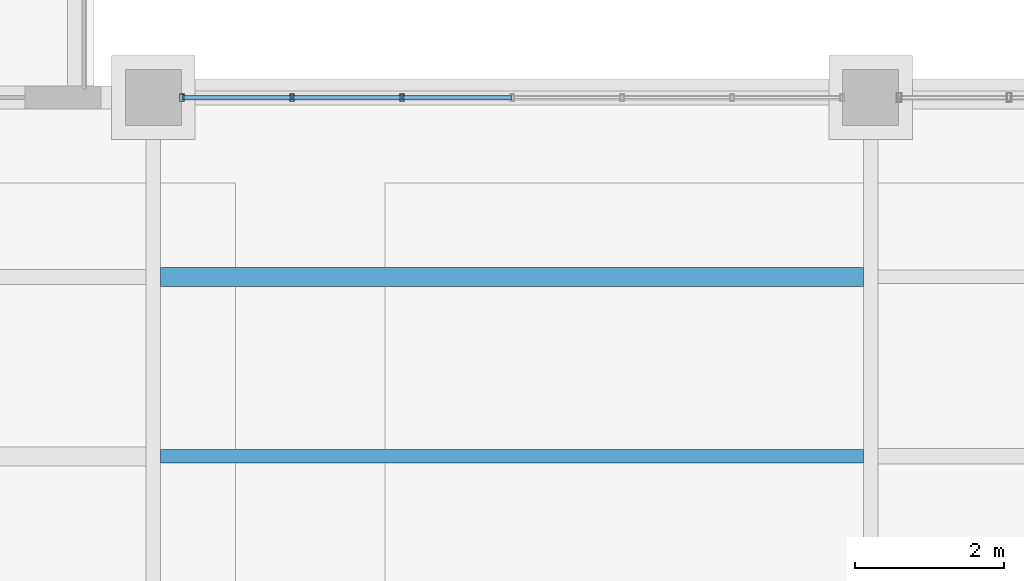
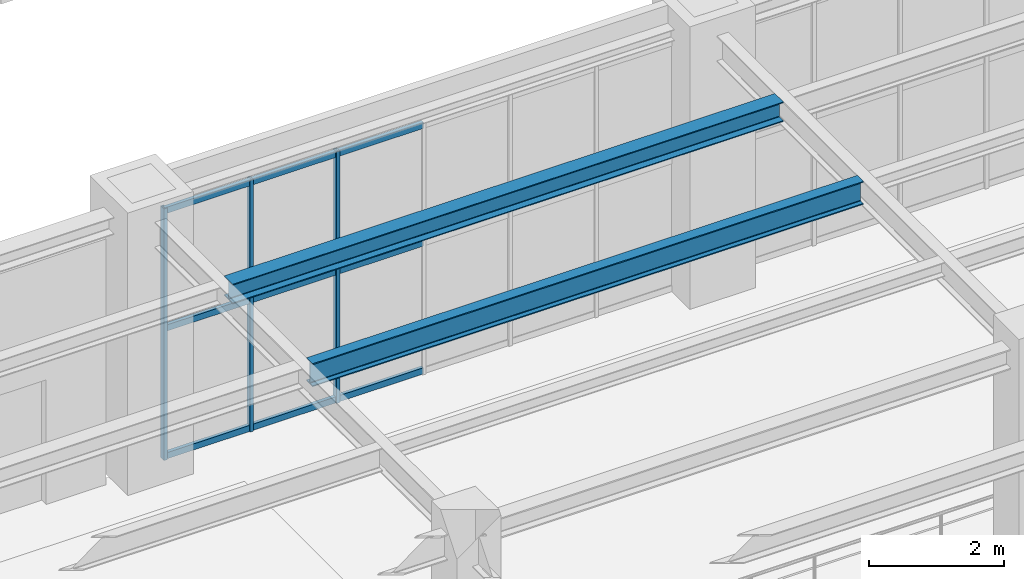
# One storey, part 20 of 174: 12 members, 2 beams, 1 element without a shape of its own.
"""IFC4 building model written with IfcOpenShell, lengths in metres."""

from ifc_helpers import new_model, si_unit, direction, frame, origin, origin_2d, place, context, subcontext, project, spatial, hollow_rectangle, i_section, extrude, material, material_profile, profile_set, type_object, element, aggregate, save


model = new_model("IFC4")

# Units and contexts
model_context = context("Model", 3, precision=1e-05, world=origin(), true_north=direction((0.0, 1.0)))
body_context = subcontext(model_context, "Body", "Model", "MODEL_VIEW")
ifc_project = project(units=[si_unit("LENGTHUNIT", "METRE"), si_unit("AREAUNIT", "SQUARE_METRE"), si_unit("VOLUMEUNIT", "CUBIC_METRE"), si_unit("PLANEANGLEUNIT", "RADIAN"), si_unit("MASSUNIT", "GRAM", prefix="KILO")], contexts=[model_context])

# Site, building, storey
site_placement = place(None, origin())
site = spatial("IfcSite", under=ifc_project, at=site_placement, CompositionType="ELEMENT")
building_placement = place(site_placement, origin())
building = spatial("IfcBuilding", under=site, at=building_placement, Name="Mavantir Sound Aquarium", CompositionType="ELEMENT")
storey_placement = place(building_placement, frame((0.0, 0.0, 5.39990234375)))
storey = spatial("IfcBuildingStorey", under=building, at=storey_placement, Name="L01", CompositionType="ELEMENT", Elevation=5.39990234375)

# Beams
ifc_material_1 = material(Name="Structural Steel ASTM A992 Gr50", Category="steel")
ifc_material_profile_1 = material_profile(ifc_material_1, i_section(OverallWidth=0.25390625, OverallDepth=0.35302734375, WebThickness=0.009521484375, FlangeThickness=0.016357421875, FilletRadius=0.014892578125, at=origin_2d()), Name="W360X91")
ifc_profile_set_1 = profile_set([ifc_material_profile_1], Name="Structural Steel ASTM A992 Gr50")
beam_type_1 = type_object("IfcBeamType", Name="BM-W360X91-I", PredefinedType="JOIST", material=ifc_profile_set_1)
beam_1_placement = place(storey_placement, frame((19.297119140625, 26.39990234375, 4.599609375), z_axis=(1.0, 0.0, 0.0), x_axis=(0.0, 1.0, 0.0)))
element("IfcBeam", 1, at=beam_1_placement, inside=storey, type_object=beam_type_1, Name="L01 secondary floor joist SJ-36 718", PredefinedType="JOIST", context=body_context, shape_type="SweptSolid", body=[
    extrude(i_section(OverallWidth=0.25390625, OverallDepth=0.35302734375, WebThickness=0.009521484375, FlangeThickness=0.016357421875, FilletRadius=0.014892578125, at=origin_2d()), origin(), (0.0, 0.0, 1.0), 9.40576171875),
])
ifc_material_profile_2 = material_profile(ifc_material_1, i_section(OverallWidth=0.180908203125, OverallDepth=0.4169921875, WebThickness=0.010986328125, FlangeThickness=0.018310546875, FilletRadius=0.014892578125, at=origin_2d()), Name="W410X85")
ifc_profile_set_2 = profile_set([ifc_material_profile_2], Name="Structural Steel ASTM A992 Gr50")
beam_type_2 = type_object("IfcBeamType", Name="BM-W410X85-I", PredefinedType="JOIST", material=ifc_profile_set_2)
beam_2_placement = place(storey_placement, frame((19.297119140625, 24.0, 4.567626953125), z_axis=(1.0, 0.0, 0.0), x_axis=(0.0, 1.0, 0.0)))
element("IfcBeam", 2, at=beam_2_placement, inside=storey, type_object=beam_type_2, Name="L01 secondary floor joist SJ-41 717", PredefinedType="JOIST", context=body_context, shape_type="SweptSolid", body=[
    extrude(i_section(OverallWidth=0.180908203125, OverallDepth=0.4169921875, WebThickness=0.010986328125, FlangeThickness=0.018310546875, FilletRadius=0.014892578125, at=origin_2d()), origin(), (0.0, 0.0, 1.0), 9.40576171875),
])

# Curtain wall, members
ifc_material_2 = material(Name="Anodised Marine Aluminium and Low-E Glass", Category="aluminium")
curtain_wall_type = type_object("IfcCurtainWallType", Name="CW-T23", PredefinedType="USERDEFINED", material=ifc_material_2)
curtain_wall_placement = place(storey_placement, origin())
curtain_wall = element("IfcCurtainWall", 3, at=curtain_wall_placement, inside=storey, type_object=curtain_wall_type, Name="L01 unitised curtain wall CW-23 71", ObjectType="UNITISED GLAZING", PredefinedType="USERDEFINED")
ifc_material_3 = material(Name="Anodised Marine Aluminium 6063-T6", Category="aluminium")
ifc_material_profile_3 = material_profile(ifc_material_3, hollow_rectangle(XDim=0.06005859375, YDim=0.10009765625, WallThickness=0.00390625, at=origin_2d()), Name="ALU-MULLION-100X60")
ifc_profile_set_3 = profile_set([ifc_material_profile_3], Name="Anodised Marine Aluminium 6063-T6")
member_type_1 = type_object("IfcMemberType", Name="CW-MUL-100", PredefinedType="MULLION", material=ifc_profile_set_3)
member_1_placement = place(storey_placement, frame((22.527587890625, 28.800048828125, 0.0), z_axis=(0.0, 0.0, 1.0), x_axis=(1.0, 0.0, 0.0)))
member_1 = element("IfcMember", 4, at=member_1_placement, type_object=member_type_1, Name="CW-L01-071 vertical mullion 5", PredefinedType="MULLION", context=body_context, shape_type="SweptSolid", body=[
    extrude(hollow_rectangle(XDim=0.06005859375, YDim=0.10009765625, WallThickness=0.00390625, at=origin_2d()), origin(), (0.0, 0.0, 1.0), 4.543212890625),
])
member_2_placement = place(storey_placement, frame((21.055419921875, 28.800048828125, 0.0), z_axis=(0.0, 0.0, 1.0), x_axis=(1.0, 0.0, 0.0)))
member_2 = element("IfcMember", 5, at=member_2_placement, type_object=member_type_1, Name="CW-L01-071 vertical mullion 6", PredefinedType="MULLION", context=body_context, shape_type="SweptSolid", body=[
    extrude(hollow_rectangle(XDim=0.06005859375, YDim=0.10009765625, WallThickness=0.00390625, at=origin_2d()), origin(), (0.0, 0.0, 1.0), 4.543212890625),
])
member_3_placement = place(storey_placement, frame((19.5830078125, 28.800048828125, 0.0), z_axis=(0.0, 0.0, 1.0), x_axis=(1.0, 0.0, 0.0)))
member_3 = element("IfcMember", 6, at=member_3_placement, type_object=member_type_1, Name="CW-L01-071 vertical mullion 7", PredefinedType="MULLION", context=body_context, shape_type="SweptSolid", body=[
    extrude(hollow_rectangle(XDim=0.06005859375, YDim=0.10009765625, WallThickness=0.00390625, at=origin_2d()), origin(), (0.0, 0.0, 1.0), 4.543212890625),
])
ifc_material_profile_4 = material_profile(ifc_material_3, hollow_rectangle(XDim=0.06005859375, YDim=0.110107421875, WallThickness=0.00390625, at=origin_2d()), Name="ALU-TRANSOM-110X60")
ifc_profile_set_4 = profile_set([ifc_material_profile_4], Name="Anodised Marine Aluminium 6063-T6")
member_type_2 = type_object("IfcMemberType", Name="CW-TRN-110", PredefinedType="USERDEFINED", material=ifc_profile_set_4)
member_4_placement = place(storey_placement, frame((24.0, 28.800048828125, 0.05517578125), z_axis=(-1.0, 0.0, 0.0), x_axis=(0.0, -1.0, 0.0)))
member_4 = element("IfcMember", 7, at=member_4_placement, type_object=member_type_2, Name="CW-L01-071 transom 4.1", ObjectType="TRANSOM", PredefinedType="USERDEFINED", context=body_context, shape_type="SweptSolid", body=[
    extrude(hollow_rectangle(XDim=0.06005859375, YDim=0.110107421875, WallThickness=0.00390625, at=origin_2d()), origin(), (0.0, 0.0, 1.0), 1.472412109375),
])
member_5_placement = place(storey_placement, frame((24.0, 28.800048828125, 2.362548828125), z_axis=(-1.0, 0.0, 0.0), x_axis=(0.0, -1.0, 0.0)))
member_5 = element("IfcMember", 8, at=member_5_placement, type_object=member_type_2, Name="CW-L01-071 transom 4.2", ObjectType="TRANSOM", PredefinedType="USERDEFINED", context=body_context, shape_type="SweptSolid", body=[
    extrude(hollow_rectangle(XDim=0.06005859375, YDim=0.110107421875, WallThickness=0.00390625, at=origin_2d()), origin(), (0.0, 0.0, 1.0), 1.472412109375),
])
member_6_placement = place(storey_placement, frame((24.0, 28.800048828125, 4.488037109375), z_axis=(-1.0, 0.0, 0.0), x_axis=(0.0, -1.0, 0.0)))
member_6 = element("IfcMember", 9, at=member_6_placement, type_object=member_type_2, Name="CW-L01-071 transom 4.3", ObjectType="TRANSOM", PredefinedType="USERDEFINED", context=body_context, shape_type="SweptSolid", body=[
    extrude(hollow_rectangle(XDim=0.06005859375, YDim=0.110107421875, WallThickness=0.00390625, at=origin_2d()), origin(), (0.0, 0.0, 1.0), 1.472412109375),
])
member_7_placement = place(storey_placement, frame((22.527587890625, 28.800048828125, 0.05517578125), z_axis=(-1.0, 0.0, 0.0), x_axis=(0.0, -1.0, 0.0)))
member_7 = element("IfcMember", 10, at=member_7_placement, type_object=member_type_2, Name="CW-L01-071 transom 5.1", ObjectType="TRANSOM", PredefinedType="USERDEFINED", context=body_context, shape_type="SweptSolid", body=[
    extrude(hollow_rectangle(XDim=0.06005859375, YDim=0.110107421875, WallThickness=0.00390625, at=origin_2d()), origin(), (0.0, 0.0, 1.0), 1.47216796875),
])
member_8_placement = place(storey_placement, frame((22.527587890625, 28.800048828125, 2.362548828125), z_axis=(-1.0, 0.0, 0.0), x_axis=(0.0, -1.0, 0.0)))
member_8 = element("IfcMember", 11, at=member_8_placement, type_object=member_type_2, Name="CW-L01-071 transom 5.2", ObjectType="TRANSOM", PredefinedType="USERDEFINED", context=body_context, shape_type="SweptSolid", body=[
    extrude(hollow_rectangle(XDim=0.06005859375, YDim=0.110107421875, WallThickness=0.00390625, at=origin_2d()), origin(), (0.0, 0.0, 1.0), 1.47216796875),
])
member_9_placement = place(storey_placement, frame((22.527587890625, 28.800048828125, 4.488037109375), z_axis=(-1.0, 0.0, 0.0), x_axis=(0.0, -1.0, 0.0)))
member_9 = element("IfcMember", 12, at=member_9_placement, type_object=member_type_2, Name="CW-L01-071 transom 5.3", ObjectType="TRANSOM", PredefinedType="USERDEFINED", context=body_context, shape_type="SweptSolid", body=[
    extrude(hollow_rectangle(XDim=0.06005859375, YDim=0.110107421875, WallThickness=0.00390625, at=origin_2d()), origin(), (0.0, 0.0, 1.0), 1.47216796875),
])
member_10_placement = place(storey_placement, frame((21.055419921875, 28.800048828125, 0.05517578125), z_axis=(-1.0, 0.0, 0.0), x_axis=(0.0, -1.0, 0.0)))
member_10 = element("IfcMember", 13, at=member_10_placement, type_object=member_type_2, Name="CW-L01-071 transom 6.1", ObjectType="TRANSOM", PredefinedType="USERDEFINED", context=body_context, shape_type="SweptSolid", body=[
    extrude(hollow_rectangle(XDim=0.06005859375, YDim=0.110107421875, WallThickness=0.00390625, at=origin_2d()), origin(), (0.0, 0.0, 1.0), 1.472412109375),
])
member_11_placement = place(storey_placement, frame((21.055419921875, 28.800048828125, 2.362548828125), z_axis=(-1.0, 0.0, 0.0), x_axis=(0.0, -1.0, 0.0)))
member_11 = element("IfcMember", 14, at=member_11_placement, type_object=member_type_2, Name="CW-L01-071 transom 6.2", ObjectType="TRANSOM", PredefinedType="USERDEFINED", context=body_context, shape_type="SweptSolid", body=[
    extrude(hollow_rectangle(XDim=0.06005859375, YDim=0.110107421875, WallThickness=0.00390625, at=origin_2d()), origin(), (0.0, 0.0, 1.0), 1.472412109375),
])
member_12_placement = place(storey_placement, frame((21.055419921875, 28.800048828125, 4.488037109375), z_axis=(-1.0, 0.0, 0.0), x_axis=(0.0, -1.0, 0.0)))
member_12 = element("IfcMember", 15, at=member_12_placement, type_object=member_type_2, Name="CW-L01-071 transom 6.3", ObjectType="TRANSOM", PredefinedType="USERDEFINED", context=body_context, shape_type="SweptSolid", body=[
    extrude(hollow_rectangle(XDim=0.06005859375, YDim=0.110107421875, WallThickness=0.00390625, at=origin_2d()), origin(), (0.0, 0.0, 1.0), 1.472412109375),
])
aggregate(curtain_wall, [member_1, member_2, member_3, member_4, member_5, member_6, member_7, member_8, member_9, member_10, member_11, member_12])

save(model, "model.ifc")
